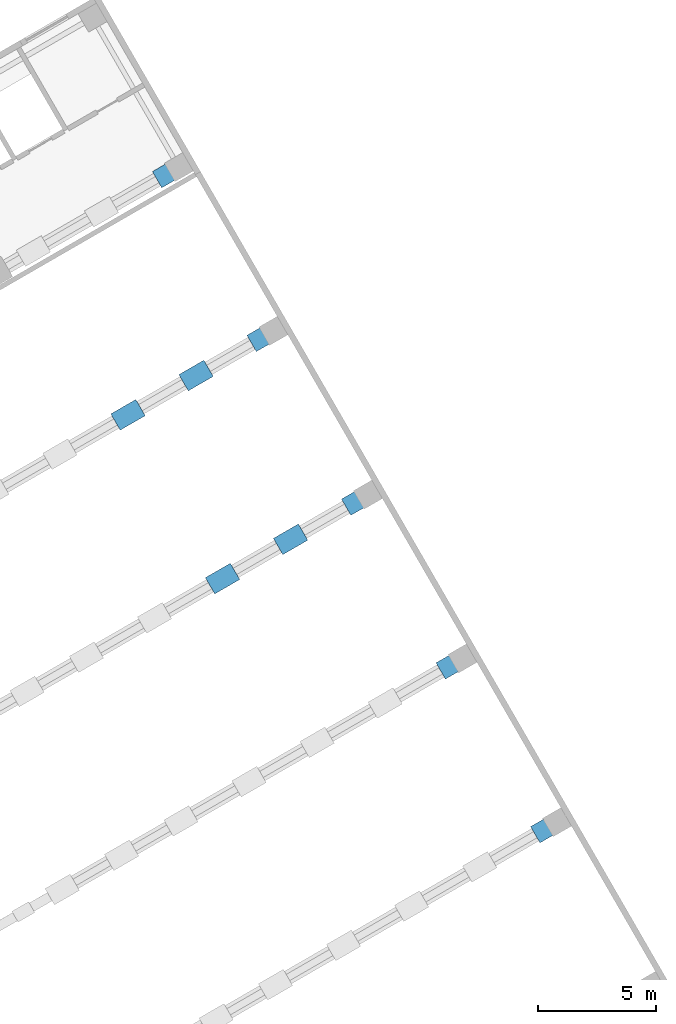
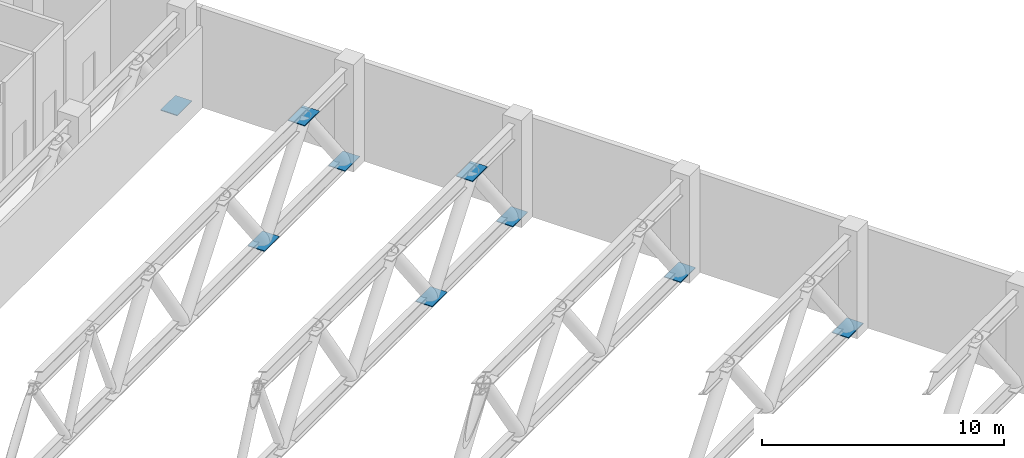
# One storey, part 31 of 37: 9 discrete accessories.
"""IFC4 building model written with IfcOpenShell, lengths in metres."""

from ifc_helpers import new_model, si_unit, direction, frame, origin, place, context, subcontext, project, spatial, polyline, outline, extrude, material, layer, layer_set, type_object, element, save


model = new_model("IFC4")

# Units and contexts
model_context = context("Model", 3, precision=1e-05, world=origin(), true_north=direction((0.0, 1.0)))
body_context = subcontext(model_context, "Body", "Model", "MODEL_VIEW")
ifc_project = project(units=[si_unit("LENGTHUNIT", "METRE"), si_unit("AREAUNIT", "SQUARE_METRE"), si_unit("VOLUMEUNIT", "CUBIC_METRE"), si_unit("PLANEANGLEUNIT", "RADIAN"), si_unit("MASSUNIT", "GRAM", prefix="KILO")], contexts=[model_context])

# Site, building, storey
site_placement = place(None, origin())
site = spatial("IfcSite", under=ifc_project, at=site_placement, CompositionType="ELEMENT")
building_placement = place(site_placement, origin())
building = spatial("IfcBuilding", under=site, at=building_placement, Name="Mestral Congress Tower", CompositionType="ELEMENT")
storey_placement = place(building_placement, frame((0.0, 0.0, 16.199951171875)))
storey = spatial("IfcBuildingStorey", under=building, at=storey_placement, Name="L03", CompositionType="ELEMENT", Elevation=16.199951171875)

# Discrete accessories
ifc_material = material(Name="Steel S355", Category="steel")
ifc_layer = layer(ifc_material, 0.034912109375)
ifc_layer_set = layer_set([ifc_layer], Name="Steel S355")
discrete_accessory_type = type_object("IfcDiscreteAccessoryType", Name="Brace end gusset plate 35 S355", PredefinedType="BRACKET", material=ifc_layer_set)
placement_1 = place(storey_placement, frame((0.0, 0.0, 0.382568359375)))
element("IfcDiscreteAccessory", 1, at=placement_1, inside=storey, type_object=discrete_accessory_type, Name="Brace end gusset plate 35 S355", PredefinedType="BRACKET", context=body_context, shape_type="SweptSolid", body=[
    extrude(outline(polyline([(45.598388671875, 54.4970703125), (44.5419921875, 53.886962890625), (44.9384765625, 53.2001953125), (45.9951171875, 53.810302734375), (45.598388671875, 54.4970703125)])), origin(), (0.0, 0.0, 1.0), 0.034912109375),
])
element("IfcDiscreteAccessory", 2, at=placement_1, inside=storey, type_object=discrete_accessory_type, Name="Brace end gusset plate 35 S355", PredefinedType="BRACKET", context=body_context, shape_type="SweptSolid", body=[
    extrude(outline(polyline([(47.357666015625, 64.750244140625), (46.301025390625, 64.14013671875), (46.697509765625, 63.453369140625), (47.754150390625, 64.0634765625), (47.357666015625, 64.750244140625)])), origin(), (0.0, 0.0, 1.0), 0.034912109375),
])
placement_2 = place(storey_placement, frame((0.0, 0.0, 4.6826171875)))
element("IfcDiscreteAccessory", 3, at=placement_2, inside=storey, type_object=discrete_accessory_type, Name="Brace end gusset plate 35 S355", PredefinedType="BRACKET", context=body_context, shape_type="SweptSolid", body=[
    extrude(outline(polyline([(48.47802734375, 56.159423828125), (47.421630859375, 55.549560546875), (47.818115234375, 54.86279296875), (48.87451171875, 55.47265625), (48.47802734375, 56.159423828125)])), origin(), (0.0, 0.0, 1.0), 0.034912109375),
])
element("IfcDiscreteAccessory", 4, at=placement_1, inside=storey, type_object=discrete_accessory_type, Name="Brace end gusset plate 35 S355", PredefinedType="BRACKET", context=body_context, shape_type="SweptSolid", body=[
    extrude(outline(polyline([(49.598388671875, 47.56884765625), (48.5419921875, 46.958740234375), (48.9384765625, 46.27197265625), (49.9951171875, 46.882080078125), (49.598388671875, 47.56884765625)])), origin(), (0.0, 0.0, 1.0), 0.034912109375),
])
element("IfcDiscreteAccessory", 5, at=placement_1, inside=storey, type_object=discrete_accessory_type, Name="Brace end gusset plate 35 S355", PredefinedType="BRACKET", context=body_context, shape_type="SweptSolid", body=[
    extrude(outline(polyline([(51.357666015625, 57.822021484375), (50.301025390625, 57.2119140625), (50.697509765625, 56.525146484375), (51.754150390625, 57.13525390625), (51.357666015625, 57.822021484375)])), origin(), (0.0, 0.0, 1.0), 0.034912109375),
])
element("IfcDiscreteAccessory", 6, at=placement_2, inside=storey, type_object=discrete_accessory_type, Name="Brace end gusset plate 35 S355", PredefinedType="BRACKET", context=body_context, shape_type="SweptSolid", body=[
    extrude(outline(polyline([(52.47802734375, 49.231201171875), (51.421630859375, 48.621337890625), (51.818115234375, 47.9345703125), (52.87451171875, 48.54443359375), (52.47802734375, 49.231201171875)])), origin(), (0.0, 0.0, 1.0), 0.034912109375),
])
element("IfcDiscreteAccessory", 7, at=placement_1, inside=storey, type_object=discrete_accessory_type, Name="Brace end gusset plate 35 S355", PredefinedType="BRACKET", context=body_context, shape_type="SweptSolid", body=[
    extrude(outline(polyline([(55.357666015625, 50.893798828125), (54.301025390625, 50.28369140625), (54.697509765625, 49.596923828125), (55.754150390625, 50.20703125), (55.357666015625, 50.893798828125)])), origin(), (0.0, 0.0, 1.0), 0.034912109375),
])
element("IfcDiscreteAccessory", 8, at=placement_1, inside=storey, type_object=discrete_accessory_type, Name="Brace end gusset plate 35 S355", PredefinedType="BRACKET", context=body_context, shape_type="SweptSolid", body=[
    extrude(outline(polyline([(59.357666015625, 43.965576171875), (58.301025390625, 43.355712890625), (58.697509765625, 42.668701171875), (59.754150390625, 43.27880859375), (59.357666015625, 43.965576171875)])), origin(), (0.0, 0.0, 1.0), 0.034912109375),
])
element("IfcDiscreteAccessory", 9, at=placement_1, inside=storey, type_object=discrete_accessory_type, Name="Brace end gusset plate 35 S355", PredefinedType="BRACKET", context=body_context, shape_type="SweptSolid", body=[
    extrude(outline(polyline([(63.357666015625, 37.037353515625), (62.301025390625, 36.427490234375), (62.697509765625, 35.740478515625), (63.754150390625, 36.3505859375), (63.357666015625, 37.037353515625)])), origin(), (0.0, 0.0, 1.0), 0.034912109375),
])

save(model, "model.ifc")
